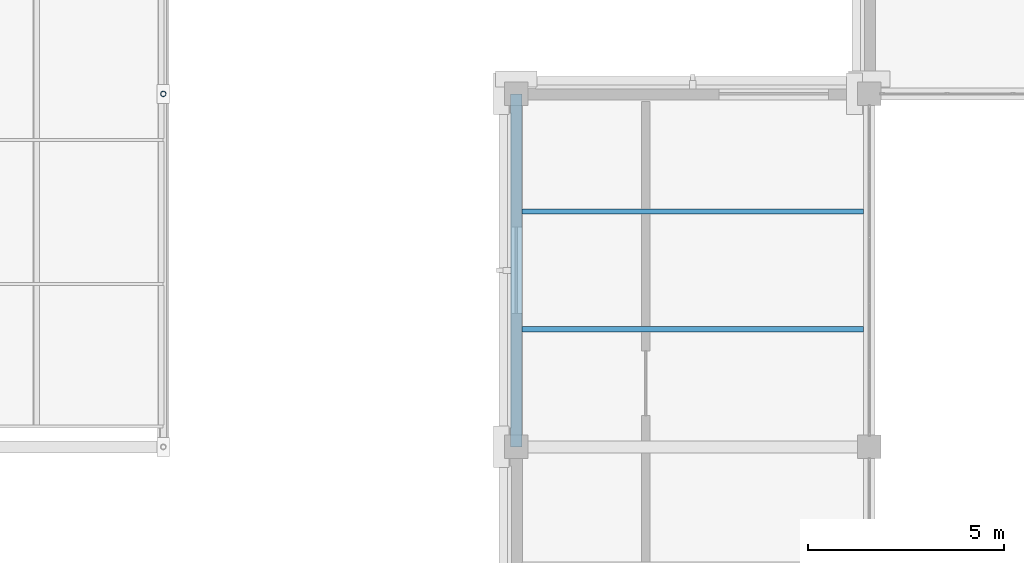
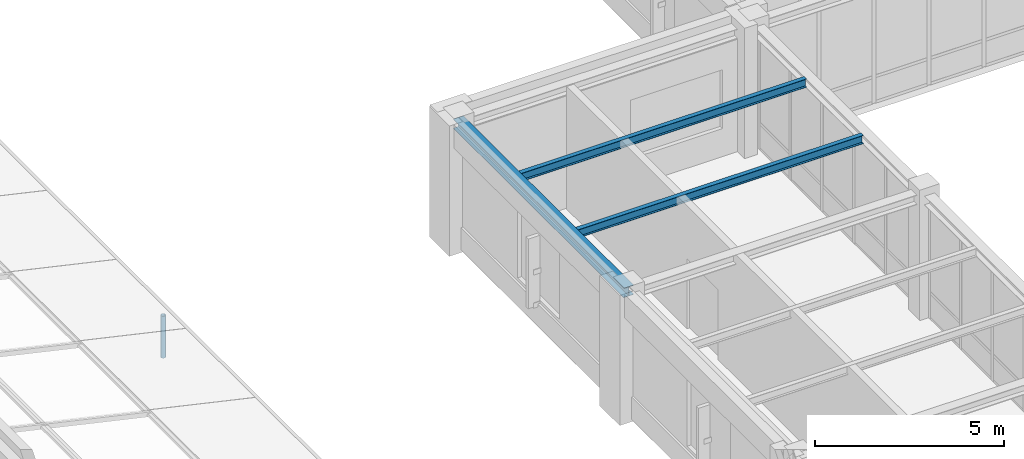
# One storey, part 81 of 130: 3 beams, 1 member.
"""IFC4 building model written with IfcOpenShell, lengths in metres."""

from ifc_helpers import new_model, si_unit, direction, frame, origin, origin_2d, place, context, subcontext, project, spatial, hollow_circle, i_section, extrude, material, material_profile, profile_set, type_object, element, save


model = new_model("IFC4")

# Units and contexts
model_context = context("Model", 3, precision=1e-05, world=origin(), true_north=direction((0.0, 1.0)))
body_context = subcontext(model_context, "Body", "Model", "MODEL_VIEW")
ifc_project = project(units=[si_unit("LENGTHUNIT", "METRE"), si_unit("AREAUNIT", "SQUARE_METRE"), si_unit("VOLUMEUNIT", "CUBIC_METRE"), si_unit("PLANEANGLEUNIT", "RADIAN"), si_unit("MASSUNIT", "GRAM", prefix="KILO")], contexts=[model_context])

# Site, building, storey
site_placement = place(None, origin())
site = spatial("IfcSite", under=ifc_project, at=site_placement, CompositionType="ELEMENT")
building_placement = place(site_placement, origin())
building = spatial("IfcBuilding", under=site, at=building_placement, Name="Lykobir Media Centre", CompositionType="ELEMENT")
storey_placement = place(building_placement, frame((0.0, 0.0, 19.199951171875)))
storey = spatial("IfcBuildingStorey", under=building, at=storey_placement, Name="L04", CompositionType="ELEMENT", Elevation=19.199951171875)

# Member
ifc_material = material(Name="Steel S355", Category="steel")
ifc_material_profile_1 = material_profile(ifc_material, hollow_circle(Radius=0.06982421875, WallThickness=0.008056640625, at=origin_2d()), Name="CHS 139.7x8.0")
ifc_profile_set_1 = profile_set([ifc_material_profile_1], Name="Steel S355")
member_type = type_object("IfcMemberType", Name="BR-CHS140-E", PredefinedType="BRACE", material=ifc_profile_set_1)
member_placement = place(storey_placement, frame((81.0, 72.0, 0.739990234375), z_axis=(0.0, 0.0, -1.0), x_axis=(1.0, 0.0, 0.0)))
element("IfcMember", 1, at=member_placement, inside=storey, type_object=member_type, Name="Diagonal brace MEM2-L04-0810-0720-0199-0810-0720-0500", PredefinedType="BRACE", context=body_context, shape_type="SweptSolid", body=[
    extrude(hollow_circle(Radius=0.06982421875, WallThickness=0.008056640625, at=origin_2d()), origin(), (0.0, 0.0, 1.0), 1.349853515625),
])

# Beams
ifc_material_profile_2 = material_profile(ifc_material, i_section(OverallWidth=0.135009765625, OverallDepth=0.27001953125, WebThickness=0.006591796875, FlangeThickness=0.01025390625, at=origin_2d()), Name="IPE 270")
ifc_profile_set_2 = profile_set([ifc_material_profile_2], Name="Steel S355")
beam_type_1 = type_object("IfcBeamType", Name="JS-IPE270", PredefinedType="JOIST", material=ifc_profile_set_2)
for number, where, z_axis, x_axis, name in (
    (2, (90.14990234375, 66.0, 3.824951171875), (1.0, 0.0, 0.0), (0.0, 1.0, 0.0), "Beam BM-L04-0902-0660-0988-0660-2302"),
    (3, (90.14990234375, 69.0, 3.824951171875), (1.0, 0.0, 0.0), (0.0, 1.0, 0.0), "Beam BM-L04-0902-0690-0988-0690-2302"),
):
    element("IfcBeam", number, at=place(storey_placement, frame(where, z_axis=z_axis, x_axis=x_axis)), inside=storey, type_object=beam_type_1, Name=name, PredefinedType="JOIST", context=body_context, shape_type="SweptSolid", body=[
        extrude(i_section(OverallWidth=0.135009765625, OverallDepth=0.27001953125, WebThickness=0.006591796875, FlangeThickness=0.01025390625, at=origin_2d()), origin(), (0.0, 0.0, 1.0), 8.7001953125),
    ])
ifc_material_profile_3 = material_profile(ifc_material, i_section(OverallWidth=0.300048828125, OverallDepth=0.31005859375, WebThickness=0.009033203125, FlangeThickness=0.015380859375, at=origin_2d()), Name="HEA 320")
ifc_profile_set_3 = profile_set([ifc_material_profile_3], Name="Steel S355")
beam_type_2 = type_object("IfcBeamType", Name="SP-HEA320-E", PredefinedType="SPANDREL", material=ifc_profile_set_3)
beam_placement = place(storey_placement, frame((90.0, 63.0, 3.804931640625), z_axis=(0.0, 1.0, 0.0), x_axis=(-1.0, 0.0, 0.0)))
element("IfcBeam", 4, at=beam_placement, inside=storey, type_object=beam_type_2, Name="Beam BM-L04-0900-0630-0900-0720-2300", PredefinedType="SPANDREL", context=body_context, shape_type="SweptSolid", body=[
    extrude(i_section(OverallWidth=0.300048828125, OverallDepth=0.31005859375, WebThickness=0.009033203125, FlangeThickness=0.015380859375, at=origin_2d()), origin(), (0.0, 0.0, 1.0), 9.0),
])

save(model, "model.ifc")
